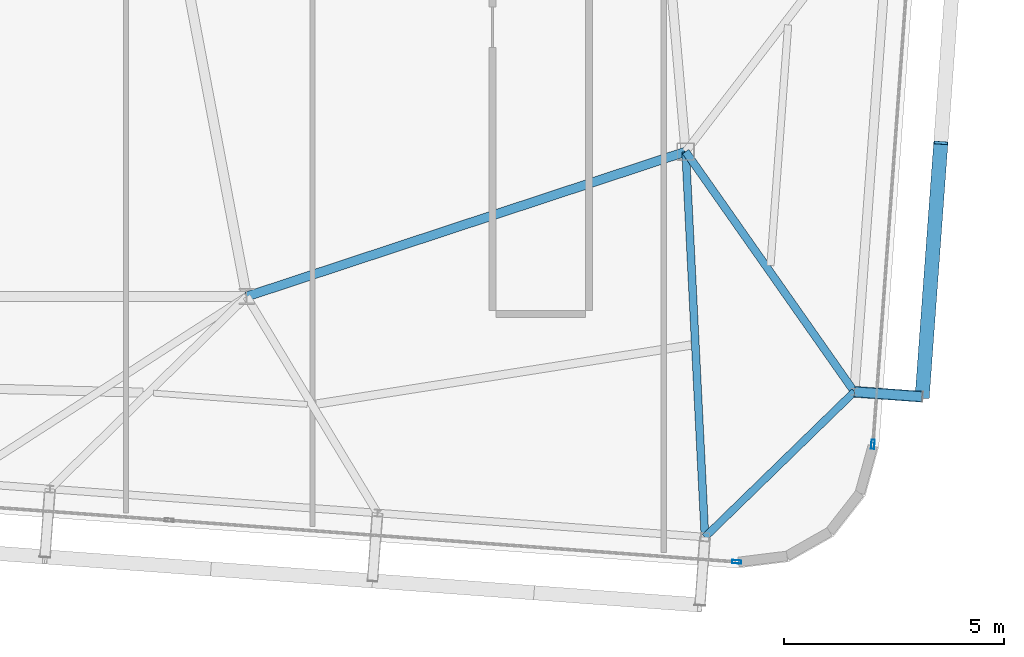
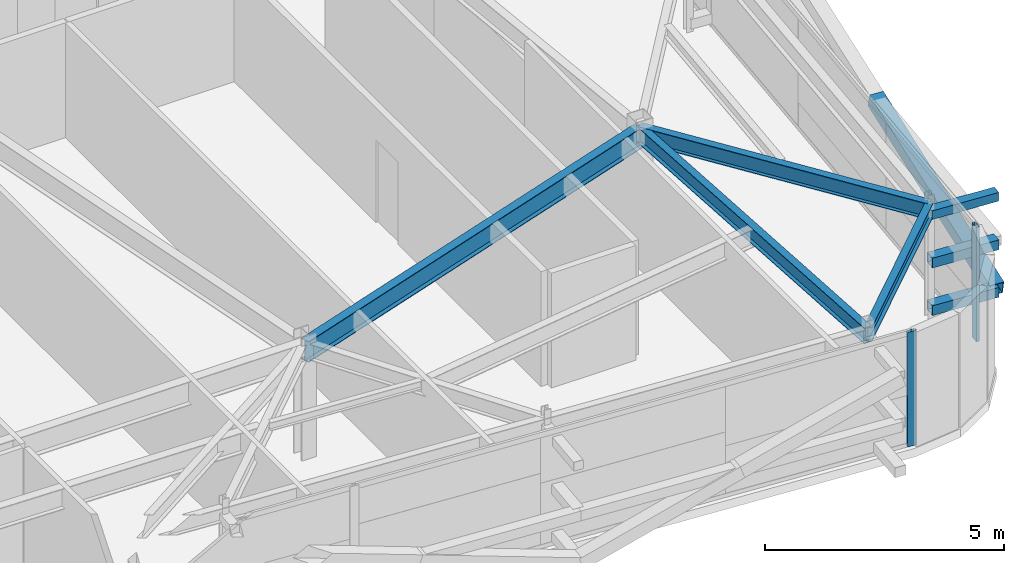
# One storey, part 15 of 34: 6 members, 4 beams, 2 elements without a shape of their own.
"""IFC4 building model written with IfcOpenShell, lengths in metres."""

from ifc_helpers import new_model, si_unit, direction, frame, origin, origin_2d, place, context, subcontext, project, spatial, hollow_rectangle, i_section, extrude, source, transform, mapped, material, layer, layer_set, material_profile, profile_set, type_object, element, aggregate, save


model = new_model("IFC4")

# Units and contexts
model_context = context("Model", 3, precision=1e-05, world=origin(), true_north=direction((0.0, 1.0)))
body_context = subcontext(model_context, "Body", "Model", "MODEL_VIEW")
ifc_project = project(units=[si_unit("LENGTHUNIT", "METRE"), si_unit("AREAUNIT", "SQUARE_METRE"), si_unit("VOLUMEUNIT", "CUBIC_METRE"), si_unit("PLANEANGLEUNIT", "RADIAN"), si_unit("MASSUNIT", "GRAM", prefix="KILO")], contexts=[model_context])

# Site, building, storey
site_placement = place(None, origin())
site = spatial("IfcSite", under=ifc_project, at=site_placement, CompositionType="ELEMENT")
building_placement = place(site_placement, origin())
building = spatial("IfcBuilding", under=site, at=building_placement, Name="Taldren Reach Tower", CompositionType="ELEMENT")
storey_placement = place(building_placement, frame((0.0, 0.0, 242.89990234375)))
storey = spatial("IfcBuildingStorey", under=building, at=storey_placement, Name="L74", CompositionType="ELEMENT", Elevation=242.89990234375)

# Beams
ifc_material_1 = material(Name="Steel Gr 350 (350PLUS)", Category="steel")
ifc_material_profile_1 = material_profile(ifc_material_1, i_section(OverallWidth=0.208984375, OverallDepth=0.532958984375, WebThickness=0.01025390625, FlangeThickness=0.015625, at=origin_2d()), Name="530UB92.4")
ifc_profile_set_1 = profile_set([ifc_material_profile_1], Name="Steel Gr 350 (350PLUS)")
beam_type_1 = type_object("IfcBeamType", Name="BM-UB530A", PredefinedType="BEAM", material=ifc_profile_set_1)
shared_shape_1 = source(origin(), body_context, "Body", "SweptSolid", [
    extrude(i_section(OverallWidth=0.208984375, OverallDepth=0.532958984375, WebThickness=0.01025390625, FlangeThickness=0.015625, at=origin_2d()), origin(), (0.0, 0.0, 1.0), 10.530517578125),
])
beam_1_placement = place(storey_placement, frame((42.0, 9.199951171875, 2.66357421875), z_axis=(0.949627269203, 0.313381635689, 0.0), x_axis=(-0.313381635689, 0.949627269203, 0.0)))
element("IfcBeam", 1, at=beam_1_placement, inside=storey, type_object=beam_type_1, Name="Core-spine girder L74-SP12", PredefinedType="BEAM", context=body_context, shape_type="MappedRepresentation", body=[
    mapped(shared_shape_1, transform((0.0, 0.0, 0.0), scale=1.0)),
])
ifc_material_profile_2 = material_profile(ifc_material_1, i_section(OverallWidth=0.172119140625, OverallDepth=0.35888671875, WebThickness=0.008056640625, FlangeThickness=0.012939453125, at=origin_2d()), Name="360UB56.7")
ifc_profile_set_2 = profile_set([ifc_material_profile_2], Name="Steel Gr 350 (350PLUS)")
beam_type_2 = type_object("IfcBeamType", Name="SP-UB360", PredefinedType="SPANDREL", material=ifc_profile_set_2)
shared_shape_2 = source(origin(), body_context, "Body", "SweptSolid", [
    extrude(i_section(OverallWidth=0.172119140625, OverallDepth=0.35888671875, WebThickness=0.008056640625, FlangeThickness=0.012939453125, at=origin_2d()), origin(), (0.0, 0.0, 1.0), 4.74609375),
])
beam_2_placement = place(storey_placement, frame((52.440185546875, 3.72119140625, 2.75048828125), z_axis=(0.716711338436, 0.697369957309, 0.0), x_axis=(-0.697369957309, 0.716711338436, 0.0)))
element("IfcBeam", 2, at=beam_2_placement, inside=storey, type_object=beam_type_2, Name="Perimeter spandrel B5 S6-E1 L74", PredefinedType="SPANDREL", context=body_context, shape_type="MappedRepresentation", body=[
    mapped(shared_shape_2, transform((0.0, 0.0, 0.0), scale=1.0)),
])
ifc_material_profile_3 = material_profile(ifc_material_1, i_section(OverallWidth=0.177978515625, OverallDepth=0.406005859375, WebThickness=0.0078125, FlangeThickness=0.0126953125, at=origin_2d()), Name="410UB59.7")
ifc_profile_set_3 = profile_set([ifc_material_profile_3], Name="Steel Gr 350 (350PLUS)")
beam_type_3 = type_object("IfcBeamType", Name="BM-UB410", PredefinedType="BEAM", material=ifc_profile_set_3)
shared_shape_3 = source(origin(), body_context, "Body", "SweptSolid", [
    extrude(i_section(OverallWidth=0.177978515625, OverallDepth=0.406005859375, WebThickness=0.0078125, FlangeThickness=0.0126953125, at=origin_2d()), origin(), (0.0, 0.0, 1.0), 8.789794921875),
])
beam_3_placement = place(storey_placement, frame((52.0, 12.5, 2.72705078125), z_axis=(0.050078917367, -0.998745263836, 0.0), x_axis=(0.998745263836, 0.050078917367, 0.0)))
element("IfcBeam", 3, at=beam_3_placement, inside=storey, type_object=beam_type_3, Name="Primary floor girder B5-S6 L74", PredefinedType="BEAM", context=body_context, shape_type="MappedRepresentation", body=[
    mapped(shared_shape_3, transform((0.0, 0.0, 0.0), scale=1.0)),
])
shared_shape_4 = source(origin(), body_context, "Body", "SweptSolid", [
    extrude(i_section(OverallWidth=0.177978515625, OverallDepth=0.406005859375, WebThickness=0.0078125, FlangeThickness=0.0126953125, at=origin_2d()), origin(), (0.0, 0.0, 1.0), 6.68359375),
])
beam_4_placement = place(storey_placement, frame((52.0, 12.5, 2.72705078125), z_axis=(0.574817292651, -0.818281785249, 0.0), x_axis=(0.818281785249, 0.574817292651, 0.0)))
element("IfcBeam", 4, at=beam_4_placement, inside=storey, type_object=beam_type_3, Name="Primary floor girder B5-E1 L74", PredefinedType="BEAM", context=body_context, shape_type="MappedRepresentation", body=[
    mapped(shared_shape_4, transform((0.0, 0.0, 0.0), scale=1.0)),
])

# Members
ifc_material_2 = material(Name="Steel Gr 450 (C450L0)", Category="steel")
ifc_material_profile_4 = material_profile(ifc_material_2, hollow_rectangle(XDim=0.219970703125, YDim=0.219970703125, WallThickness=0.00830078125, at=origin_2d()), Name="220x220x8.2SHS")
ifc_profile_set_4 = profile_set([ifc_material_profile_4], Name="Steel Gr 450 (C450L0)")
member_type_1 = type_object("IfcMemberType", Name="MB-TIE219", PredefinedType="STRUT", material=ifc_profile_set_4)
shared_shape_5 = source(origin(), body_context, "Body", "SweptSolid", [
    extrude(hollow_rectangle(XDim=0.219970703125, YDim=0.219970703125, WallThickness=0.00830078125, at=origin_2d()), origin(), (0.0, 0.0, 1.0), 1.546142578125),
])
member_1_placement = place(storey_placement, frame((55.845703125, 7.030517578125, 2.650146484375), z_axis=(0.997323903953, -0.073109716202, 0.0), x_axis=(0.073109716202, 0.997323903953, 0.0)))
element("IfcMember", 5, at=member_1_placement, inside=storey, type_object=member_type_1, Name="Exoskeleton diaphragm tie strut B5-E1 L74", PredefinedType="STRUT", context=body_context, shape_type="MappedRepresentation", body=[
    mapped(shared_shape_5, transform((0.0, 0.0, 0.0), scale=1.0)),
])
ifc_material_profile_5 = material_profile(ifc_material_2, hollow_rectangle(XDim=0.324951171875, YDim=0.324951171875, WallThickness=0.0126953125, at=origin_2d()), Name="325x325x12.7SHS")
ifc_profile_set_5 = profile_set([ifc_material_profile_5], Name="Steel Gr 450 (C450L0)")
member_type_2 = type_object("IfcMemberType", Name="MB-BR324", PredefinedType="BRACE", material=ifc_profile_set_5)
shared_shape_6 = source(origin(), body_context, "Body", "SweptSolid", [
    extrude(hollow_rectangle(XDim=0.324951171875, YDim=0.324951171875, WallThickness=0.0126953125, at=origin_2d()), origin(), (0.0, 0.0, 1.0), 5.92578125),
])
member_2_placement = place(storey_placement, frame((57.3876953125, 6.91748046875, 0.22021484375), z_axis=(0.071645553297, 0.976134614303, 0.205007632667), x_axis=(-0.997317259472, 0.073200300267, 0.0)))
element("IfcMember", 6, at=member_2_placement, inside=storey, type_object=member_type_2, Name="Exoskeleton Diagrid Brace B5-E1 L74", PredefinedType="BRACE", context=body_context, shape_type="MappedRepresentation", body=[
    mapped(shared_shape_6, transform((0.0, 0.0, 0.0), scale=1.0)),
])
ifc_material_3 = material(Name="Steel Gr 350 (C350L0)", Category="steel")
ifc_material_profile_6 = material_profile(ifc_material_3, hollow_rectangle(XDim=0.25, YDim=0.25, WallThickness=0.010009765625, at=origin_2d()), Name="250x250x10.0SHS")
ifc_profile_set_6 = profile_set([ifc_material_profile_6], Name="Steel Gr 350 (C350L0)")
member_type_3 = type_object("IfcMemberType", Name="MB-POST250", PredefinedType="POST", material=ifc_profile_set_6)
shared_shape_7 = source(origin(), body_context, "Body", "SweptSolid", [
    extrude(hollow_rectangle(XDim=0.25, YDim=0.25, WallThickness=0.010009765625, at=origin_2d()), origin(), (0.0, 0.0, 1.0), 1.546142578125),
])
for number, where, z_axis, x_axis, name in (
    (7, (55.845703125, 7.030517578125, 0.22021484375), (0.997323903953, -0.073109716202, 0.0), (0.073109716202, 0.997323903953, 0.0), "Exoskeleton base diaphragm tie strut B5-E1 L74"),
    (8, (55.845703125, 7.030517578125, 1.43505859375), (0.997323903953, -0.073109716202, 0.0), (0.073109716202, 0.997323903953, 0.0), "Exoskeleton mid-tier diaphragm tie B5-E1 L74"),
):
    element("IfcMember", number, at=place(storey_placement, frame(where, z_axis=z_axis, x_axis=x_axis)), inside=storey, type_object=member_type_3, Name=name, PredefinedType="POST", context=body_context, shape_type="MappedRepresentation", body=[
        mapped(shared_shape_7, transform((0.0, 0.0, 0.0), scale=1.0)),
    ])

# Curtain wall, member
ifc_material_4 = material(Name="Aluminium and Low-E Glass Unitised System", Category="aluminium")
ifc_layer = layer(ifc_material_4, 0.159912109375)
ifc_layer_set = layer_set([ifc_layer], Name="Aluminium and Low-E Glass Unitised System")
curtain_wall_type = type_object("IfcCurtainWallType", Name="CW-SYS-6", PredefinedType="NOTDEFINED", material=ifc_layer_set)
curtain_wall_1_placement = place(storey_placement, origin())
curtain_wall_1 = element("IfcCurtainWall", 9, at=curtain_wall_1_placement, inside=storey, type_object=curtain_wall_type, Name="Unitised curtain wall CW-L74-S", PredefinedType="NOTDEFINED")
ifc_material_5 = material(Name="Anodised Aluminium 6063-T6", Category="aluminium")
ifc_material_profile_7 = material_profile(ifc_material_5, hollow_rectangle(XDim=0.074951171875, YDim=0.2099609375, WallThickness=0.00439453125, at=origin_2d()), Name="ALU-210x75x4.5RHS")
ifc_profile_set_7 = profile_set([ifc_material_profile_7], Name="Anodised Aluminium 6063-T6")
member_type_4 = type_object("IfcMemberType", Name="CW-MUL-200", PredefinedType="MULLION", material=ifc_profile_set_7)
shared_shape_8 = source(origin(), body_context, "Body", "SweptSolid", [
    extrude(hollow_rectangle(XDim=0.074951171875, YDim=0.2099609375, WallThickness=0.00439453125, at=origin_2d()), origin(), (0.0, 0.0, 1.0), 2.93017578125),
])
member_3_placement = place(storey_placement, frame((53.163330078125, 3.15673828125, 0.0), z_axis=(0.0, 0.0, 1.0), x_axis=(0.073238213716, 0.997314476006, 0.0)))
member_3 = element("IfcMember", 10, at=member_3_placement, type_object=member_type_4, Name="CW-6 mullion 4", PredefinedType="MULLION", context=body_context, shape_type="MappedRepresentation", body=[
    mapped(shared_shape_8, transform((0.0, 0.0, 0.0), scale=1.0)),
])
aggregate(curtain_wall_1, [member_3])

curtain_wall_2_placement = place(storey_placement, origin())
curtain_wall_2 = element("IfcCurtainWall", 11, at=curtain_wall_2_placement, inside=storey, type_object=curtain_wall_type, Name="Unitised curtain wall CW-L74-E", PredefinedType="NOTDEFINED")
member_4_placement = place(storey_placement, frame((56.26513671875, 5.834228515625, 0.0), z_axis=(0.0, 0.0, 1.0), x_axis=(-0.997314470951, 0.073238282558, 0.0)))
member_4 = element("IfcMember", 12, at=member_4_placement, type_object=member_type_4, Name="CW-6 mullion 1", PredefinedType="MULLION", context=body_context, shape_type="MappedRepresentation", body=[
    mapped(shared_shape_8, transform((0.0, 0.0, 0.0), scale=1.0)),
])
aggregate(curtain_wall_2, [member_4])

save(model, "model.ifc")
